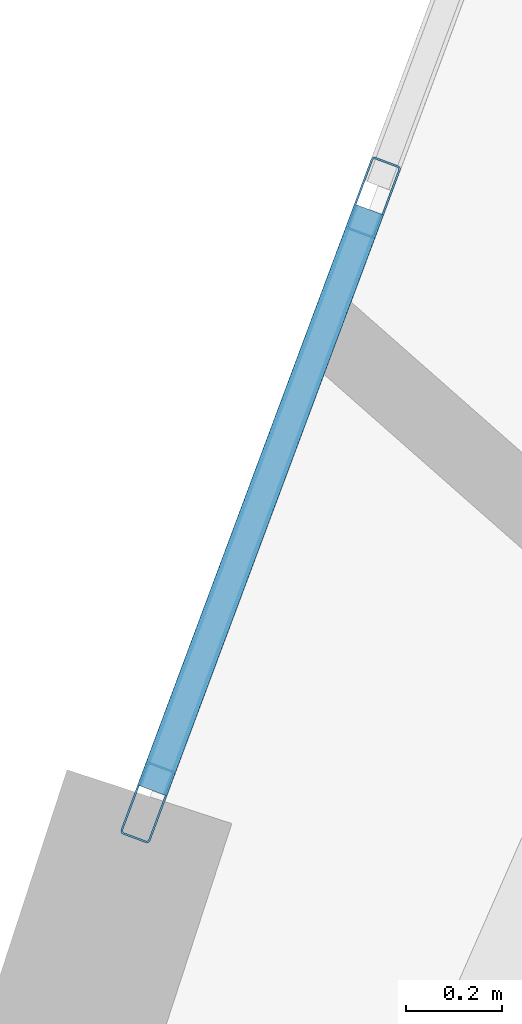
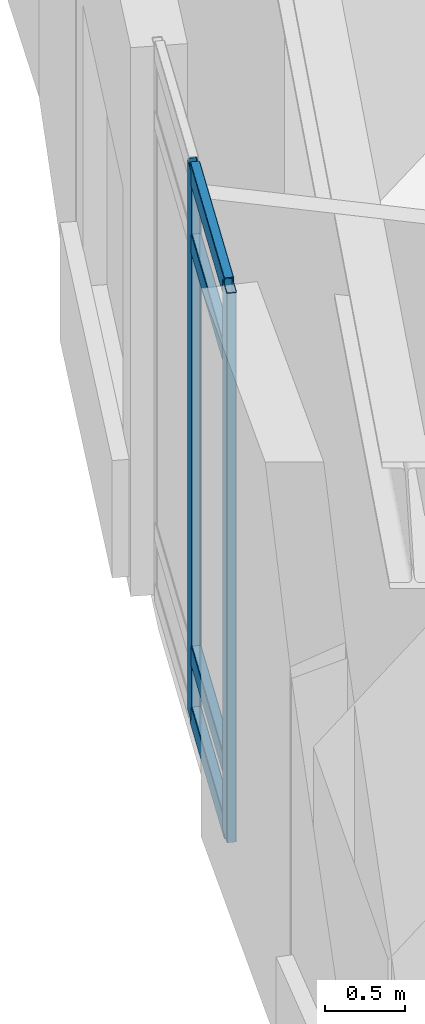
# One storey, part 4 of 19: 6 members, 1 element without a shape of its own.
"""IFC4 building model written with IfcOpenShell, lengths in metres."""

from ifc_helpers import new_model, si_unit, direction, frame, origin, origin_2d, place, context, subcontext, project, spatial, hollow_rectangle, extrude, material, layer, layer_set, material_profile, profile_set, type_object, element, aggregate, save


model = new_model("IFC4")

# Units and contexts
model_context = context("Model", 3, precision=1e-05, world=origin(), true_north=direction((0.0, 1.0)))
body_context = subcontext(model_context, "Body", "Model", "MODEL_VIEW")
ifc_project = project(units=[si_unit("LENGTHUNIT", "METRE"), si_unit("AREAUNIT", "SQUARE_METRE"), si_unit("VOLUMEUNIT", "CUBIC_METRE"), si_unit("PLANEANGLEUNIT", "RADIAN"), si_unit("MASSUNIT", "GRAM", prefix="KILO")], contexts=[model_context])

# Site, building, storey
site_placement = place(None, origin())
site = spatial("IfcSite", under=ifc_project, at=site_placement, CompositionType="ELEMENT")
building_placement = place(site_placement, origin())
building = spatial("IfcBuilding", under=site, at=building_placement, Name="Ndelora Gate Hotel", CompositionType="ELEMENT")
storey_placement = place(building_placement, frame((0.0, 0.0, 88.25)))
storey = spatial("IfcBuildingStorey", under=building, at=storey_placement, Name="L21", CompositionType="ELEMENT", Elevation=88.25)

# Curtain wall, members
ifc_material_1 = material(Name="Bronze Anodised Unitised Aluminium and Low-E Glass", Category="aluminium")
ifc_layer = layer(ifc_material_1, 0.2099609375)
ifc_layer_set = layer_set([ifc_layer], Name="Bronze Anodised Unitised Aluminium and Low-E Glass")
curtain_wall_type = type_object("IfcCurtainWallType", Name="CW-SYS-4", PredefinedType="NOTDEFINED", material=ifc_layer_set)
curtain_wall_placement = place(storey_placement, origin())
curtain_wall = element("IfcCurtainWall", 1, at=curtain_wall_placement, inside=storey, type_object=curtain_wall_type, Name="L21 Lower Sky-Lobby & Highland Spa Curtain Wall 1", PredefinedType="NOTDEFINED")
ifc_material_2 = material(Name="Bronze Anodised Aluminium 6063-T6", Category="aluminium")
ifc_material_profile_1 = material_profile(ifc_material_2, hollow_rectangle(XDim=0.06494140625, YDim=0.159912109375, WallThickness=0.00390625, InnerFilletRadius=0.00390625, OuterFilletRadius=0.008056640625, at=origin_2d()), Name="ALU 160x65x4")
ifc_profile_set_1 = profile_set([ifc_material_profile_1], Name="Bronze Anodised Aluminium 6063-T6")
member_type_1 = type_object("IfcMemberType", Name="MB-CW-MUL150", PredefinedType="MULLION", material=ifc_profile_set_1)
member_1_placement = place(storey_placement, frame((-13.816650390625, 12.522705078125, -0.00390625), z_axis=(0.0, 0.0, 1.0), x_axis=(0.93688871813, -0.349627701764, 0.0)))
member_1 = element("IfcMember", 2, at=member_1_placement, type_object=member_type_1, Name="CW4 mullion 2", PredefinedType="MULLION", context=body_context, shape_type="SweptSolid", body=[
    extrude(hollow_rectangle(XDim=0.06494140625, YDim=0.159912109375, WallThickness=0.00390625, InnerFilletRadius=0.00390625, OuterFilletRadius=0.008056640625, at=origin_2d()), origin(), (0.0, 0.0, 1.0), 4.218017578125),
])
member_2_placement = place(storey_placement, frame((-14.28564453125, 11.265625, -0.00390625), z_axis=(0.0, 0.0, 1.0), x_axis=(0.93688871813, -0.349627701764, 0.0)))
member_2 = element("IfcMember", 3, at=member_2_placement, type_object=member_type_1, Name="CW4 mullion 3", PredefinedType="MULLION", context=body_context, shape_type="SweptSolid", body=[
    extrude(hollow_rectangle(XDim=0.06494140625, YDim=0.159912109375, WallThickness=0.00390625, InnerFilletRadius=0.00390625, OuterFilletRadius=0.008056640625, at=origin_2d()), origin(), (0.0, 0.0, 1.0), 4.218017578125),
])
ifc_material_profile_2 = material_profile(ifc_material_2, hollow_rectangle(XDim=0.06494140625, YDim=0.159912109375, WallThickness=0.00390625, InnerFilletRadius=0.00390625, OuterFilletRadius=0.008056640625, at=origin_2d()), Name="ALU 160x65x4")
ifc_profile_set_2 = profile_set([ifc_material_profile_2], Name="Bronze Anodised Aluminium 6063-T6")
member_type_2 = type_object("IfcMemberType", Name="MB-CW-TRN150", PredefinedType="USERDEFINED", material=ifc_profile_set_2)
member_3_placement = place(storey_placement, frame((-13.825927734375, 12.497802734375, 0.032470703125), z_axis=(-0.349565697046, -0.936911854685, 0.0), x_axis=(0.936911854685, -0.349565697046, 0.0)))
member_3 = element("IfcMember", 4, at=member_3_placement, type_object=member_type_2, Name="CW4 transom 2.1", ObjectType="TRANSOM", PredefinedType="USERDEFINED", context=body_context, shape_type="SweptSolid", body=[
    extrude(hollow_rectangle(XDim=0.06494140625, YDim=0.159912109375, WallThickness=0.00390625, InnerFilletRadius=0.00390625, OuterFilletRadius=0.008056640625, at=origin_2d()), origin(), (0.0, 0.0, 1.0), 1.28857421875),
])
member_4_placement = place(storey_placement, frame((-13.825927734375, 12.497802734375, 0.5), z_axis=(-0.349565697046, -0.936911854685, 0.0), x_axis=(0.936911854685, -0.349565697046, 0.0)))
member_4 = element("IfcMember", 5, at=member_4_placement, type_object=member_type_2, Name="CW4 transom 2.2", ObjectType="TRANSOM", PredefinedType="USERDEFINED", context=body_context, shape_type="SweptSolid", body=[
    extrude(hollow_rectangle(XDim=0.06494140625, YDim=0.159912109375, WallThickness=0.00390625, InnerFilletRadius=0.00390625, OuterFilletRadius=0.008056640625, at=origin_2d()), origin(), (0.0, 0.0, 1.0), 1.28857421875),
])
member_5_placement = place(storey_placement, frame((-13.825927734375, 12.497802734375, 3.659912109375), z_axis=(-0.349565697046, -0.936911854685, 0.0), x_axis=(0.936911854685, -0.349565697046, 0.0)))
member_5 = element("IfcMember", 6, at=member_5_placement, type_object=member_type_2, Name="CW4 transom 2.3", ObjectType="TRANSOM", PredefinedType="USERDEFINED", context=body_context, shape_type="SweptSolid", body=[
    extrude(hollow_rectangle(XDim=0.06494140625, YDim=0.159912109375, WallThickness=0.00390625, InnerFilletRadius=0.00390625, OuterFilletRadius=0.008056640625, at=origin_2d()), origin(), (0.0, 0.0, 1.0), 1.28857421875),
])
member_6_placement = place(storey_placement, frame((-13.825927734375, 12.497802734375, 4.177490234375), z_axis=(-0.349565697046, -0.936911854685, 0.0), x_axis=(0.936911854685, -0.349565697046, 0.0)))
member_6 = element("IfcMember", 7, at=member_6_placement, type_object=member_type_2, Name="CW4 transom 2.4", ObjectType="TRANSOM", PredefinedType="USERDEFINED", context=body_context, shape_type="SweptSolid", body=[
    extrude(hollow_rectangle(XDim=0.06494140625, YDim=0.159912109375, WallThickness=0.00390625, InnerFilletRadius=0.00390625, OuterFilletRadius=0.008056640625, at=origin_2d()), origin(), (0.0, 0.0, 1.0), 1.28857421875),
])
aggregate(curtain_wall, [member_1, member_2, member_3, member_4, member_5, member_6])

save(model, "model.ifc")
